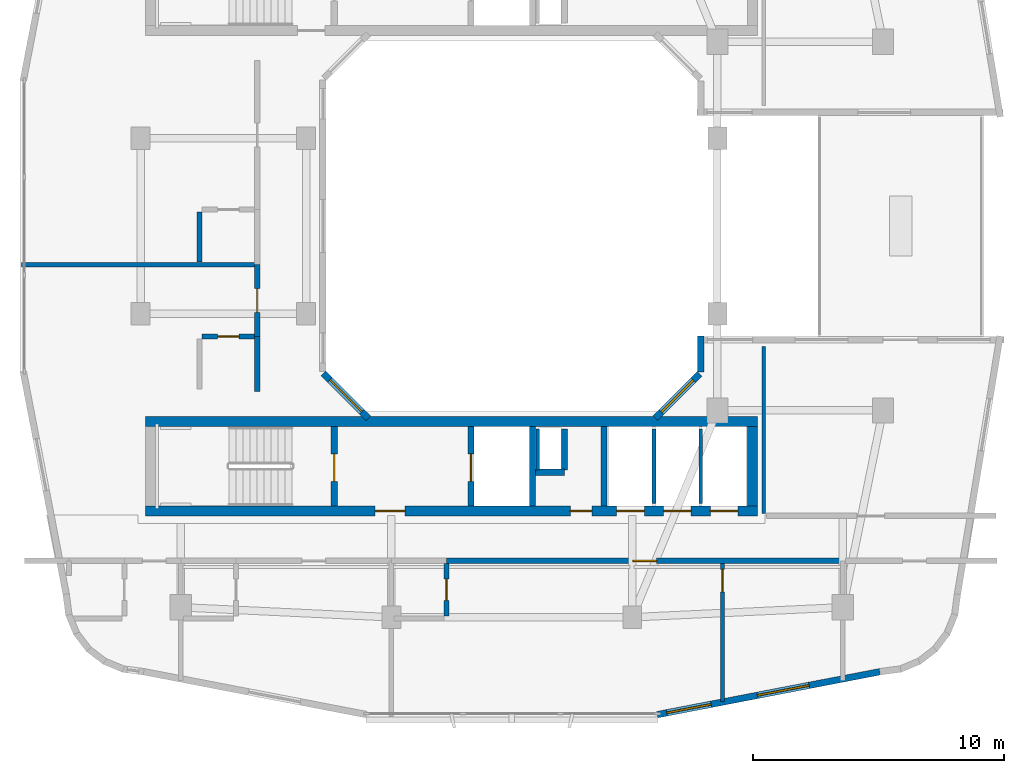
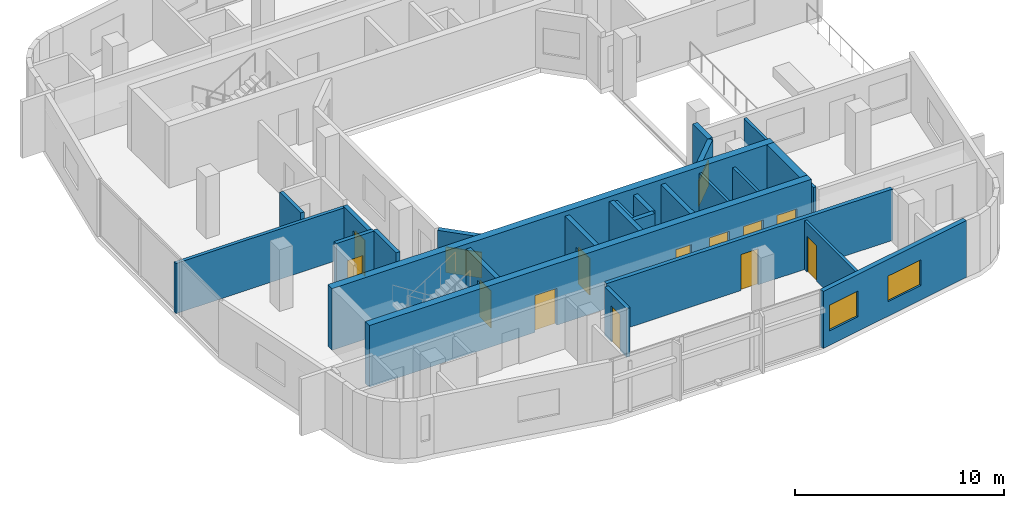
# One storey, part 5 of 12: 25 walls, 12 doors, 4 windows, 16 openings.
"""IFC4 building model written with IfcOpenShell, lengths in metres."""

from ifc_helpers import new_model, si_unit, derived_unit, direction, frame, frame_2d, origin, place, context, subcontext, project, spatial, rectangle, extrude, material, layer, layer_set, type_object, element, fill, save


model = new_model("IFC4")

# Units and contexts
model_context = context("Model", 3, precision=1e-05, world=origin(), true_north=direction((0.0, 1.0)))
body_context = subcontext(model_context, "Body", "Model", "MODEL_VIEW")
ifc_project = project(units=[si_unit("LENGTHUNIT", "METRE"), si_unit("AREAUNIT", "SQUARE_METRE"), si_unit("VOLUMEUNIT", "CUBIC_METRE"), si_unit("PLANEANGLEUNIT", "RADIAN"), si_unit("MASSUNIT", "GRAM", prefix="KILO"), derived_unit("THERMALTRANSMITTANCEUNIT", [(si_unit("POWERUNIT", "WATT"), 1), (si_unit("LENGTHUNIT", "METRE"), -2), (si_unit("THERMODYNAMICTEMPERATUREUNIT", "KELVIN"), -1)])], contexts=[model_context])

# Site, building, storey
site_placement = place(None, origin())
site = spatial("IfcSite", under=ifc_project, at=site_placement, CompositionType="ELEMENT")
building_placement = place(site_placement, origin())
building = spatial("IfcBuilding", under=site, at=building_placement, Name="Kivonza Crest Hotel", CompositionType="ELEMENT")
storey_placement = place(building_placement, frame((0.0, 0.0, 177.5)))
storey = spatial("IfcBuildingStorey", under=building, at=storey_placement, Name="L48", CompositionType="ELEMENT", Elevation=177.5)

# Wall
ifc_material_1 = material(Name="High-density acoustic masonry inter-tenancy wall", Category="masonry")
ifc_layer_1 = layer(ifc_material_1, 0.179931640625)
ifc_layer_set_1 = layer_set([ifc_layer_1], Name="High-density acoustic masonry inter-tenancy wall")
wall_type_1 = type_object("IfcWallType", Name="WL-ACOU-180", PredefinedType="SOLIDWALL", material=ifc_layer_set_1)
wall_1_placement = place(storey_placement, frame((1.4599609375, 23.4599609375, 0.0), z_axis=(0.0, 0.0, 1.0), x_axis=(1.0, 0.0, 0.0)))
element("IfcWall", 1, at=wall_1_placement, inside=storey, type_object=wall_type_1, Name="L48 interior partition WA-L48-T1W-DIV1", PredefinedType="SOLIDWALL", context=body_context, shape_type="SweptSolid", body=[
    extrude(rectangle(XDim=9.39013671875, YDim=0.179931640625, at=frame_2d((4.695068359375, 0.0))), origin(), (0.0, 0.0, 1.0), 2.93505859375),
])

# Wall, opening, door
ifc_material_2 = material(Name="Autoclaved aerated concrete blockwork", Category="masonry")
ifc_layer_2 = layer(ifc_material_2, 0.219970703125)
ifc_layer_set_2 = layer_set([ifc_layer_2], Name="Autoclaved aerated concrete blockwork")
wall_type_2 = type_object("IfcWallType", Name="WL-ACOU-220", PredefinedType="SOLIDWALL", material=ifc_layer_set_2)
wall_2_placement = place(storey_placement, frame((18.39990234375, 11.64990234375, 0.0), z_axis=(0.0, 0.0, 1.0), x_axis=(1.0, 0.0, 0.0)))
wall_2 = element("IfcWall", 2, at=wall_2_placement, inside=storey, type_object=wall_type_2, Name="L48 interior partition WA-L48-S07-MCORR", PredefinedType="SOLIDWALL", context=body_context, shape_type="SweptSolid", body=[
    extrude(rectangle(XDim=15.800048828125, YDim=0.219970703125, at=frame_2d((7.89990234375, 0.0))), origin(), (0.0, 0.0, 1.0), 2.9951171875),
])
opening_1_placement = place(wall_2_placement, frame((7.425048828125, 0.0, 0.0)))
opening_1 = element("IfcOpeningElement", 3, at=opening_1_placement, cuts=wall_2, Name="Opening DU-60", PredefinedType="OPENING", context=body_context, shape_type="SweptSolid", body=[
    extrude(rectangle(XDim=0.949951171875, YDim=2.10009765625, at=frame_2d((0.47509765625, 1.050048828125))), frame((0.0, 0.1201171875, 0.0), z_axis=(0.0, -1.0, 0.0), x_axis=(1.0, 0.0, 0.0)), (0.0, 0.0, 1.0), 0.239990234375),
])
ifc_material_3 = material(Name="Hardwood timber oak", Category="wood")
door_type_1 = type_object("IfcDoorType", Name="DR-UNIT-950", OperationType="NOTDEFINED", PredefinedType="DOOR", material=ifc_material_3)
door_1_placement = place(opening_1_placement, frame((0.949951171875, 0.0, 0.0), z_axis=(0.0, 0.0, 1.0), x_axis=(-1.0, 0.0, 0.0)))
door_1 = element("IfcDoor", 4, at=door_1_placement, inside=storey, type_object=door_type_1, Name="L48 S07 guest unit entrance fire door", OperationType="SINGLE_SWING_LEFT", OverallHeight=2.10009765625, OverallWidth=0.949951171875, PredefinedType="DOOR", context=body_context, shape_type="SweptSolid", body=[
    extrude(rectangle(XDim=0.949951171875, YDim=2.10009765625, at=frame_2d((0.47509765625, 1.050048828125))), frame((0.0, 0.02490234375, 0.0), z_axis=(0.0, -1.0, 0.0), x_axis=(1.0, 0.0, 0.0)), (0.0, 0.0, 1.0), 0.050048828125),
])
fill(opening_1, door_1)

# Wall
wall_3_placement = place(storey_placement, frame((10.85009765625, 18.39990234375, 0.0), z_axis=(0.0, 0.0, 1.0), x_axis=(0.0, 1.0, 0.0)))
element("IfcWall", 5, at=wall_3_placement, inside=storey, type_object=wall_type_2, Name="L48 interior partition WA-L48-W08-BCORR", PredefinedType="SOLIDWALL", context=body_context, shape_type="SweptSolid", body=[
    extrude(rectangle(XDim=2.2001953125, YDim=0.219970703125, at=frame_2d((1.10009765625, 0.0))), origin(), (0.0, 0.0, 1.0), 3.320068359375),
])

# Wall, opening, door
wall_4_placement = place(storey_placement, frame((10.85009765625, 20.60009765625, 0.0), z_axis=(0.0, 0.0, 1.0), x_axis=(0.0, 1.0, 0.0)))
wall_4 = element("IfcWall", 6, at=wall_4_placement, inside=storey, type_object=wall_type_2, Name="L48 interior partition WA-L48-W08-MCORR", PredefinedType="SOLIDWALL", context=body_context, shape_type="SweptSolid", body=[
    extrude(rectangle(XDim=2.85986328125, YDim=0.219970703125, at=frame_2d((1.429931640625, 0.0))), origin(), (0.0, 0.0, 1.0), 2.9951171875),
])
opening_2_placement = place(wall_4_placement, frame((0.955078125, 0.0, 0.0)))
opening_2 = element("IfcOpeningElement", 7, at=opening_2_placement, cuts=wall_4, Name="Opening DU-60", PredefinedType="OPENING", context=body_context, shape_type="SweptSolid", body=[
    extrude(rectangle(XDim=0.949951171875, YDim=2.10009765625, at=frame_2d((0.47509765625, 1.050048828125))), frame((0.0, 0.1201171875, 0.0), z_axis=(0.0, -1.0, 0.0), x_axis=(1.0, 0.0, 0.0)), (0.0, 0.0, 1.0), 0.239990234375),
])
door_2_placement = place(opening_2_placement, origin())
door_2 = element("IfcDoor", 8, at=door_2_placement, inside=storey, type_object=door_type_1, Name="L48 W08 guest unit entrance fire door", OperationType="SINGLE_SWING_RIGHT", OverallHeight=2.10009765625, OverallWidth=0.949951171875, PredefinedType="DOOR", context=body_context, shape_type="SweptSolid", body=[
    extrude(rectangle(XDim=0.949951171875, YDim=2.10009765625, at=frame_2d((0.47509765625, 1.050048828125))), frame((0.0, 0.02490234375, 0.0), z_axis=(0.0, -1.0, 0.0), x_axis=(1.0, 0.0, 0.0)), (0.0, 0.0, 1.0), 0.050048828125),
])
fill(opening_2, door_2)

# Wall, openings, doors
ifc_material_4 = material(Name="Concrete C50/60", Category="concrete")
ifc_layer_3 = layer(ifc_material_4, 0.39990234375)
ifc_layer_set_3 = layer_set([ifc_layer_3], Name="Concrete C50/60")
wall_type_3 = type_object("IfcWallType", Name="WL-CORE-400", PredefinedType="SHEAR", material=ifc_layer_set_3)
wall_5_placement = place(storey_placement, frame((6.39990234375, 13.639892578125, 0.0), z_axis=(0.0, 0.0, 1.0), x_axis=(1.0, 0.0, 0.0)))
wall_5 = element("IfcWall", 9, at=wall_5_placement, inside=storey, type_object=wall_type_3, Name="Core wall T1-S South L48", PredefinedType="SHEAR", context=body_context, shape_type="SweptSolid", body=[
    extrude(rectangle(XDim=24.400146484375, YDim=0.39990234375, at=frame_2d((12.2001953125, 0.0))), origin(), (0.0, 0.0, 1.0), 3.60009765625),
])
opening_3_placement = place(wall_5_placement, frame((9.14990234375, 0.0, 0.0)))
opening_3 = element("IfcOpeningElement", 10, at=opening_3_placement, cuts=wall_5, Name="Opening DF-60", PredefinedType="OPENING", context=body_context, shape_type="SweptSolid", body=[
    extrude(rectangle(XDim=1.199951171875, YDim=2.14990234375, at=frame_2d((0.60009765625, 1.074951171875))), frame((0.0, 0.2099609375, 0.0), z_axis=(0.0, -1.0, 0.0), x_axis=(1.0, 0.0, 0.0)), (0.0, 0.0, 1.0), 0.419921875),
])
opening_4_placement = place(wall_5_placement, frame((16.93994140625, 0.0, 0.0)))
opening_4 = element("IfcOpeningElement", 11, at=opening_4_placement, cuts=wall_5, Name="Opening DF-60R", PredefinedType="OPENING", context=body_context, shape_type="SweptSolid", body=[
    extrude(rectangle(XDim=0.85009765625, YDim=2.10009765625, at=frame_2d((0.425048828125, 1.050048828125))), frame((0.0, 0.2099609375, 0.0), z_axis=(0.0, -1.0, 0.0), x_axis=(1.0, 0.0, 0.0)), (0.0, 0.0, 1.0), 0.419921875),
])
opening_5_placement = place(wall_5_placement, frame((18.782958984375, 0.0, 0.0)))
opening_5 = element("IfcOpeningElement", 12, at=opening_5_placement, cuts=wall_5, Name="Opening LD-120", PredefinedType="OPENING", context=body_context, shape_type="SweptSolid", body=[
    extrude(rectangle(XDim=1.10009765625, YDim=2.14990234375, at=frame_2d((0.550048828125, 1.074951171875))), frame((0.0, 0.2099609375, 0.0), z_axis=(0.0, -1.0, 0.0), x_axis=(1.0, 0.0, 0.0)), (0.0, 0.0, 1.0), 0.419921875),
])
opening_6_placement = place(wall_5_placement, frame((20.64990234375, 0.0, 0.0)))
opening_6 = element("IfcOpeningElement", 13, at=opening_6_placement, cuts=wall_5, Name="Opening LD-120", PredefinedType="OPENING", context=body_context, shape_type="SweptSolid", body=[
    extrude(rectangle(XDim=1.10009765625, YDim=2.14990234375, at=frame_2d((0.550048828125, 1.074951171875))), frame((0.0, 0.2099609375, 0.0), z_axis=(0.0, -1.0, 0.0), x_axis=(1.0, 0.0, 0.0)), (0.0, 0.0, 1.0), 0.419921875),
])
opening_7_placement = place(wall_5_placement, frame((22.51708984375, 0.0, 0.0)))
opening_7 = element("IfcOpeningElement", 14, at=opening_7_placement, cuts=wall_5, Name="Opening LD-120", PredefinedType="OPENING", context=body_context, shape_type="SweptSolid", body=[
    extrude(rectangle(XDim=1.10009765625, YDim=2.14990234375, at=frame_2d((0.550048828125, 1.074951171875))), frame((0.0, 0.2099609375, 0.0), z_axis=(0.0, -1.0, 0.0), x_axis=(1.0, 0.0, 0.0)), (0.0, 0.0, 1.0), 0.419921875),
])
door_type_2 = type_object("IfcDoorType", Name="DR-FD60-1200", OperationType="NOTDEFINED", PredefinedType="DOOR", material=ifc_material_3)
door_3_placement = place(opening_3_placement, frame((1.199951171875, 0.0, 0.0), z_axis=(0.0, 0.0, 1.0), x_axis=(-1.0, 0.0, 0.0)))
door_3 = element("IfcDoor", 15, at=door_3_placement, inside=storey, type_object=door_type_2, Name="L48 T1-S firefighting lobby fire door", OperationType="SINGLE_SWING_LEFT", OverallHeight=2.14990234375, OverallWidth=1.199951171875, PredefinedType="DOOR", context=body_context, shape_type="SweptSolid", body=[
    extrude(rectangle(XDim=1.199951171875, YDim=2.14990234375, at=frame_2d((0.60009765625, 1.074951171875))), frame((0.0, 0.02490234375, 0.0), z_axis=(0.0, -1.0, 0.0), x_axis=(1.0, 0.0, 0.0)), (0.0, 0.0, 1.0), 0.050048828125),
])
fill(opening_3, door_3)
door_type_3 = type_object("IfcDoorType", Name="DR-FD60-850", OperationType="NOTDEFINED", PredefinedType="DOOR", material=ifc_material_3)
door_4_placement = place(opening_4_placement, frame((0.85009765625, 0.0, 0.0), z_axis=(0.0, 0.0, 1.0), x_axis=(-1.0, 0.0, 0.0)))
door_4 = element("IfcDoor", 16, at=door_4_placement, inside=storey, type_object=door_type_3, Name="L48 T1-S core room door", OperationType="SINGLE_SWING_RIGHT", OverallHeight=2.10009765625, OverallWidth=0.85009765625, PredefinedType="DOOR", context=body_context, shape_type="SweptSolid", body=[
    extrude(rectangle(XDim=0.85009765625, YDim=2.10009765625, at=frame_2d((0.425048828125, 1.050048828125))), frame((0.0, 0.02490234375, 0.0), z_axis=(0.0, -1.0, 0.0), x_axis=(1.0, 0.0, 0.0)), (0.0, 0.0, 1.0), 0.050048828125),
])
fill(opening_4, door_4)
ifc_material_5 = material(Name="Stainless steel", Category="steel")
door_type_4 = type_object("IfcDoorType", Name="DR-LD120-1100", OperationType="NOTDEFINED", PredefinedType="DOOR", material=ifc_material_5)
door_5_placement = place(opening_5_placement, frame((1.10009765625, 0.0, 0.0), z_axis=(0.0, 0.0, 1.0), x_axis=(-1.0, 0.0, 0.0)))
door_5 = element("IfcDoor", 17, at=door_5_placement, inside=storey, type_object=door_type_4, Name="L48 PL-T1-H1 passenger lift sliding landing door", OperationType="DOUBLE_DOOR_SLIDING", OverallHeight=2.14990234375, OverallWidth=1.10009765625, PredefinedType="DOOR", context=body_context, shape_type="SweptSolid", body=[
    extrude(rectangle(XDim=1.10009765625, YDim=2.14990234375, at=frame_2d((0.550048828125, 1.074951171875))), frame((0.0, 0.02490234375, 0.0), z_axis=(0.0, -1.0, 0.0), x_axis=(1.0, 0.0, 0.0)), (0.0, 0.0, 1.0), 0.050048828125),
])
fill(opening_5, door_5)
door_6_placement = place(opening_6_placement, frame((1.10009765625, 0.0, 0.0), z_axis=(0.0, 0.0, 1.0), x_axis=(-1.0, 0.0, 0.0)))
door_6 = element("IfcDoor", 18, at=door_6_placement, inside=storey, type_object=door_type_4, Name="L48 PL-T1-H2 passenger lift sliding landing door", OperationType="DOUBLE_DOOR_SLIDING", OverallHeight=2.14990234375, OverallWidth=1.10009765625, PredefinedType="DOOR", context=body_context, shape_type="SweptSolid", body=[
    extrude(rectangle(XDim=1.10009765625, YDim=2.14990234375, at=frame_2d((0.550048828125, 1.074951171875))), frame((0.0, 0.02490234375, 0.0), z_axis=(0.0, -1.0, 0.0), x_axis=(1.0, 0.0, 0.0)), (0.0, 0.0, 1.0), 0.050048828125),
])
fill(opening_6, door_6)
door_7_placement = place(opening_7_placement, frame((1.10009765625, 0.0, 0.0), z_axis=(0.0, 0.0, 1.0), x_axis=(-1.0, 0.0, 0.0)))
door_7 = element("IfcDoor", 19, at=door_7_placement, inside=storey, type_object=door_type_4, Name="L48 PL-T1-H3 passenger lift sliding landing door", OperationType="DOUBLE_DOOR_SLIDING", OverallHeight=2.14990234375, OverallWidth=1.10009765625, PredefinedType="DOOR", context=body_context, shape_type="SweptSolid", body=[
    extrude(rectangle(XDim=1.10009765625, YDim=2.14990234375, at=frame_2d((0.550048828125, 1.074951171875))), frame((0.0, 0.02490234375, 0.0), z_axis=(0.0, -1.0, 0.0), x_axis=(1.0, 0.0, 0.0)), (0.0, 0.0, 1.0), 0.050048828125),
])
fill(opening_7, door_7)

# Walls
wall_6_placement = place(storey_placement, frame((6.39990234375, 17.199951171875, 0.0), z_axis=(0.0, 0.0, 1.0), x_axis=(1.0, 0.0, 0.0)))
element("IfcWall", 20, at=wall_6_placement, inside=storey, type_object=wall_type_3, Name="Core wall T1-S North L48", PredefinedType="SHEAR", context=body_context, shape_type="SweptSolid", body=[
    extrude(rectangle(XDim=24.400146484375, YDim=0.39990234375, at=frame_2d((12.2001953125, 0.0))), origin(), (0.0, 0.0, 1.0), 3.60009765625),
])
wall_7_placement = place(storey_placement, frame((30.60009765625, 13.840087890625, 0.0), z_axis=(0.0, 0.0, 1.0), x_axis=(0.0, 1.0, 0.0)))
element("IfcWall", 21, at=wall_7_placement, inside=storey, type_object=wall_type_3, Name="Core wall T1-S East L48", PredefinedType="SHEAR", context=body_context, shape_type="SweptSolid", body=[
    extrude(rectangle(XDim=3.159912109375, YDim=0.39990234375, at=frame_2d((1.580078125, 0.0))), origin(), (0.0, 0.0, 1.0), 3.60009765625),
])

# Wall, openings, windows
ifc_material_6 = material(Name="Precast concrete C40/50", Category="concrete")
ifc_layer_4 = layer(ifc_material_6, 0.260009765625)
ifc_layer_set_4 = layer_set([ifc_layer_4], Name="Precast concrete C40/50")
wall_type_4 = type_object("IfcWallType", Name="WL-EXT-260", PredefinedType="STANDARD", material=ifc_layer_set_4)
wall_8_placement = place(storey_placement, frame((26.801025390625, 5.51806640625, 0.0), z_axis=(0.0, 0.0, 1.0), x_axis=(0.98192801022, 0.189254809039, 0.0)))
wall_8 = element("IfcWall", 22, at=wall_8_placement, inside=storey, type_object=wall_type_4, Name="L48 T1 exterior insulated wall 9", PredefinedType="STANDARD", context=body_context, shape_type="SweptSolid", body=[
    extrude(rectangle(XDim=9.045654296875, YDim=0.260009765625, at=frame_2d((4.52294921875, 0.0))), origin(), (0.0, 0.0, 1.0), 3.320068359375),
])
opening_8_placement = place(wall_8_placement, frame((0.386962890625, 0.0, 0.85009765625)))
opening_8 = element("IfcOpeningElement", 23, at=opening_8_placement, cuts=wall_8, Name="Opening WN-03", PredefinedType="OPENING", context=body_context, shape_type="SweptSolid", body=[
    extrude(rectangle(XDim=1.800048828125, YDim=1.5, at=frame_2d((0.89990234375, 0.75))), frame((0.0, 0.14013671875, 0.0), z_axis=(0.0, -1.0, 0.0), x_axis=(1.0, 0.0, 0.0)), (0.0, 0.0, 1.0), 0.280029296875),
])
opening_9_placement = place(wall_8_placement, frame((4.06494140625, 0.0, 0.85009765625)))
opening_9 = element("IfcOpeningElement", 24, at=opening_9_placement, cuts=wall_8, Name="Opening WN-04", PredefinedType="OPENING", context=body_context, shape_type="SweptSolid", body=[
    extrude(rectangle(XDim=2.10009765625, YDim=1.5, at=frame_2d((1.050048828125, 0.75))), frame((0.0, 0.14013671875, 0.0), z_axis=(0.0, -1.0, 0.0), x_axis=(1.0, 0.0, 0.0)), (0.0, 0.0, 1.0), 0.280029296875),
])
ifc_material_7 = material(Name="Thermally broken bronze aluminium and low-E double glazing", Category="aluminium")
window_type_1 = type_object("IfcWindowType", Name="WN-180x150", PartitioningType="DOUBLE_PANEL_VERTICAL", PredefinedType="WINDOW", material=ifc_material_7)
window_1_placement = place(opening_8_placement, origin())
window_1 = element("IfcWindow", 25, at=window_1_placement, inside=storey, type_object=window_type_1, Name="L48 T1 facade window 9 bay 1", OverallHeight=1.5, OverallWidth=1.800048828125, PartitioningType="SINGLE_PANEL", PredefinedType="WINDOW", context=body_context, shape_type="SweptSolid", body=[
    extrude(rectangle(XDim=1.800048828125, YDim=1.5, at=frame_2d((0.89990234375, 0.75))), frame((0.0, 0.030029296875, 0.0), z_axis=(0.0, -1.0, 0.0), x_axis=(1.0, 0.0, 0.0)), (0.0, 0.0, 1.0), 0.06005859375),
])
fill(opening_8, window_1)
window_type_2 = type_object("IfcWindowType", Name="WN-210x150", PartitioningType="DOUBLE_PANEL_VERTICAL", PredefinedType="WINDOW", material=ifc_material_7)
window_2_placement = place(opening_9_placement, origin())
window_2 = element("IfcWindow", 26, at=window_2_placement, inside=storey, type_object=window_type_2, Name="L48 T1 facade window 9 bay 2", OverallHeight=1.5, OverallWidth=2.10009765625, PartitioningType="SINGLE_PANEL", PredefinedType="WINDOW", context=body_context, shape_type="SweptSolid", body=[
    extrude(rectangle(XDim=2.10009765625, YDim=1.5, at=frame_2d((1.050048828125, 0.75))), frame((0.0, 0.030029296875, 0.0), z_axis=(0.0, -1.0, 0.0), x_axis=(1.0, 0.0, 0.0)), (0.0, 0.0, 1.0), 0.06005859375),
])
fill(opening_9, window_2)

# Wall
wall_9_placement = place(storey_placement, frame((28.530029296875, 20.625, 0.0), z_axis=(0.0, 0.0, 1.0), x_axis=(0.0, -1.0, 0.0)))
element("IfcWall", 27, at=wall_9_placement, inside=storey, type_object=wall_type_4, Name="L48 T1 exterior insulated wall 18", PredefinedType="STANDARD", context=body_context, shape_type="SweptSolid", body=[
    extrude(rectangle(XDim=1.449951171875, YDim=0.260009765625, at=frame_2d((0.72509765625, 0.0))), origin(), (0.0, 0.0, 1.0), 3.320068359375),
])

# Wall, opening, window
wall_10_placement = place(storey_placement, frame((28.485107421875, 19.10107421875, 0.0), z_axis=(0.0, 0.0, 1.0), x_axis=(-0.707106781187, -0.707106781187, 0.0)))
wall_10 = element("IfcWall", 28, at=wall_10_placement, inside=storey, type_object=wall_type_4, Name="L48 T1 exterior insulated wall 19", PredefinedType="STANDARD", context=body_context, shape_type="SweptSolid", body=[
    extrude(rectangle(XDim=2.493408203125, YDim=0.260009765625, at=frame_2d((1.24658203125, 0.0))), origin(), (0.0, 0.0, 1.0), 3.320068359375),
])
opening_10_placement = place(wall_10_placement, frame((0.346923828125, 0.0, 0.85009765625)))
opening_10 = element("IfcOpeningElement", 29, at=opening_10_placement, cuts=wall_10, Name="Opening WN-03", PredefinedType="OPENING", context=body_context, shape_type="SweptSolid", body=[
    extrude(rectangle(XDim=1.800048828125, YDim=1.5, at=frame_2d((0.89990234375, 0.75))), frame((0.0, 0.14013671875, 0.0), z_axis=(0.0, -1.0, 0.0), x_axis=(1.0, 0.0, 0.0)), (0.0, 0.0, 1.0), 0.280029296875),
])
window_3_placement = place(opening_10_placement, origin())
window_3 = element("IfcWindow", 30, at=window_3_placement, inside=storey, type_object=window_type_1, Name="L48 T1 facade window 19", OverallHeight=1.5, OverallWidth=1.800048828125, PartitioningType="SINGLE_PANEL", PredefinedType="WINDOW", context=body_context, shape_type="SweptSolid", body=[
    extrude(rectangle(XDim=1.800048828125, YDim=1.5, at=frame_2d((0.89990234375, 0.75))), frame((0.0, 0.030029296875, 0.0), z_axis=(0.0, -1.0, 0.0), x_axis=(1.0, 0.0, 0.0)), (0.0, 0.0, 1.0), 0.06005859375),
])
fill(opening_10, window_3)

wall_11_placement = place(storey_placement, frame((15.278076171875, 17.337890625, 0.0), z_axis=(0.0, 0.0, 1.0), x_axis=(-0.707106781187, 0.707106781187, 0.0)))
wall_11 = element("IfcWall", 31, at=wall_11_placement, inside=storey, type_object=wall_type_4, Name="L48 T1 exterior insulated wall 21", PredefinedType="STANDARD", context=body_context, shape_type="SweptSolid", body=[
    extrude(rectangle(XDim=2.52880859375, YDim=0.260009765625, at=frame_2d((1.264404296875, 0.0))), origin(), (0.0, 0.0, 1.0), 3.320068359375),
])
opening_11_placement = place(wall_11_placement, frame((0.364013671875, 0.0, 0.85009765625)))
opening_11 = element("IfcOpeningElement", 32, at=opening_11_placement, cuts=wall_11, Name="Opening WN-03", PredefinedType="OPENING", context=body_context, shape_type="SweptSolid", body=[
    extrude(rectangle(XDim=1.800048828125, YDim=1.5, at=frame_2d((0.89990234375, 0.75))), frame((0.0, 0.14013671875, 0.0), z_axis=(0.0, -1.0, 0.0), x_axis=(1.0, 0.0, 0.0)), (0.0, 0.0, 1.0), 0.280029296875),
])
window_4_placement = place(opening_11_placement, origin())
window_4 = element("IfcWindow", 33, at=window_4_placement, inside=storey, type_object=window_type_1, Name="L48 T1 facade window 21", OverallHeight=1.5, OverallWidth=1.800048828125, PartitioningType="SINGLE_PANEL", PredefinedType="WINDOW", context=body_context, shape_type="SweptSolid", body=[
    extrude(rectangle(XDim=1.800048828125, YDim=1.5, at=frame_2d((0.89990234375, 0.75))), frame((0.0, 0.030029296875, 0.0), z_axis=(0.0, -1.0, 0.0), x_axis=(1.0, 0.0, 0.0)), (0.0, 0.0, 1.0), 0.06005859375),
])
fill(opening_11, window_4)

# Walls
ifc_material_8 = material(Name="Concrete blockwork fire-compartment wall", Category="masonry")
ifc_layer_5 = layer(ifc_material_8, 0.25)
ifc_layer_set_5 = layer_set([ifc_layer_5], Name="Concrete blockwork fire-compartment wall")
wall_type_5 = type_object("IfcWallType", Name="WL-FIRE-250", PredefinedType="SOLIDWALL", material=ifc_layer_set_5)
wall_12_placement = place(storey_placement, frame((23.10009765625, 15.280029296875, 0.0), z_axis=(0.0, 0.0, 1.0), x_axis=(0.0, 1.0, 0.0)))
element("IfcWall", 34, at=wall_12_placement, inside=storey, type_object=wall_type_5, Name="L48 interior partition WA-L48-T1-S-MEPR-E", PredefinedType="SOLIDWALL", context=body_context, shape_type="SweptSolid", body=[
    extrude(rectangle(XDim=1.619873046875, YDim=0.25, at=frame_2d((0.81005859375, 0.0))), origin(), (0.0, 0.0, 1.0), 3.320068359375),
])
wall_13_placement = place(storey_placement, frame((21.949951171875, 15.179931640625, 0.0), z_axis=(0.0, 0.0, 1.0), x_axis=(1.0, 0.0, 0.0)))
element("IfcWall", 35, at=wall_13_placement, inside=storey, type_object=wall_type_5, Name="L48 interior partition WA-L48-T1-S-MEPR-H", PredefinedType="SOLIDWALL", context=body_context, shape_type="SweptSolid", body=[
    extrude(rectangle(XDim=1.150146484375, YDim=0.25, at=frame_2d((0.5751953125, 0.0))), origin(), (0.0, 0.0, 1.0), 3.320068359375),
])
ifc_material_9 = material(Name="Twin-stud acoustic gypsum board partition", Category="gypsum")
ifc_layer_6 = layer(ifc_material_9, 0.14990234375)
ifc_layer_set_6 = layer_set([ifc_layer_6], Name="Twin-stud acoustic gypsum board partition")
wall_type_6 = type_object("IfcWallType", Name="WL-PART-150", PredefinedType="PARTITIONING", material=ifc_layer_set_6)
wall_14_placement = place(storey_placement, frame((22.030029296875, 15.280029296875, 0.0), z_axis=(0.0, 0.0, 1.0), x_axis=(0.0, 1.0, 0.0)))
element("IfcWall", 36, at=wall_14_placement, inside=storey, type_object=wall_type_6, Name="L48 interior partition WA-L48-T1-S-MEPR-W", PredefinedType="PARTITIONING", context=body_context, shape_type="SweptSolid", body=[
    extrude(rectangle(XDim=1.619873046875, YDim=0.14990234375, at=frame_2d((0.81005859375, 0.0))), origin(), (0.0, 0.0, 1.0), 3.320068359375),
])
wall_15_placement = place(storey_placement, frame((26.6669921875, 13.93994140625, 0.0), z_axis=(0.0, 0.0, 1.0), x_axis=(0.0, 1.0, 0.0)))
element("IfcWall", 37, at=wall_15_placement, inside=storey, type_object=wall_type_6, Name="L48 interior partition WP-L48-T1-S-BSH-1", PredefinedType="PARTITIONING", context=body_context, shape_type="SweptSolid", body=[
    extrude(rectangle(XDim=2.9599609375, YDim=0.14990234375, at=frame_2d((1.47998046875, 0.0))), origin(), (0.0, 0.0, 1.0), 3.320068359375),
])
wall_16_placement = place(storey_placement, frame((28.532958984375, 13.93994140625, 0.0), z_axis=(0.0, 0.0, 1.0), x_axis=(0.0, 1.0, 0.0)))
element("IfcWall", 38, at=wall_16_placement, inside=storey, type_object=wall_type_6, Name="L48 interior partition WP-L48-T1-S-BSH-2", PredefinedType="PARTITIONING", context=body_context, shape_type="SweptSolid", body=[
    extrude(rectangle(XDim=2.9599609375, YDim=0.14990234375, at=frame_2d((1.47998046875, 0.0))), origin(), (0.0, 0.0, 1.0), 2.9951171875),
])

# Wall, opening, door
wall_17_placement = place(storey_placement, frame((29.39990234375, 6.047119140625, 0.0), z_axis=(0.0, 0.0, 1.0), x_axis=(0.0, 1.0, 0.0)))
wall_17 = element("IfcWall", 39, at=wall_17_placement, inside=storey, type_object=wall_type_6, Name="L48 interior partition WP-L48-S07-SPSP", PredefinedType="PARTITIONING", context=body_context, shape_type="SweptSolid", body=[
    extrude(rectangle(XDim=5.5029296875, YDim=0.14990234375, at=frame_2d((2.75146484375, 0.0))), origin(), (0.0, 0.0, 1.0), 2.844970703125),
])
opening_12_placement = place(wall_17_placement, frame((4.363037109375, 0.0, 0.0)))
opening_12 = element("IfcOpeningElement", 40, at=opening_12_placement, cuts=wall_17, Name="Opening DI-90", PredefinedType="OPENING", context=body_context, shape_type="SweptSolid", body=[
    extrude(rectangle(XDim=0.89990234375, YDim=2.10009765625, at=frame_2d((0.449951171875, 1.050048828125))), frame((0.0, 0.0849609375, 0.0), z_axis=(0.0, -1.0, 0.0), x_axis=(1.0, 0.0, 0.0)), (0.0, 0.0, 1.0), 0.169921875),
])
door_type_5 = type_object("IfcDoorType", Name="DR-INT-900", OperationType="NOTDEFINED", PredefinedType="DOOR", material=ifc_material_3)
door_8_placement = place(opening_12_placement, origin())
door_8 = element("IfcDoor", 41, at=door_8_placement, inside=storey, type_object=door_type_5, Name="L48 S07 suite bedroom door", OperationType="SINGLE_SWING_RIGHT", OverallHeight=2.10009765625, OverallWidth=0.89990234375, PredefinedType="DOOR", context=body_context, shape_type="SweptSolid", body=[
    extrude(rectangle(XDim=0.89990234375, YDim=2.10009765625, at=frame_2d((0.449951171875, 1.050048828125))), frame((0.0, 0.02490234375, 0.0), z_axis=(0.0, -1.0, 0.0), x_axis=(1.0, 0.0, 0.0)), (0.0, 0.0, 1.0), 0.050048828125),
])
fill(opening_12, door_8)

# Wall
wall_18_placement = place(storey_placement, frame((31.050048828125, 13.5400390625, 0.0), z_axis=(0.0, 0.0, 1.0), x_axis=(0.0, 1.0, 0.0)))
element("IfcWall", 42, at=wall_18_placement, inside=storey, type_object=wall_type_6, Name="L48 interior partition WP-L48-EP1-BW", PredefinedType="PARTITIONING", context=body_context, shape_type="SweptSolid", body=[
    extrude(rectangle(XDim=6.659912109375, YDim=0.14990234375, at=frame_2d((3.330078125, 0.0))), origin(), (0.0, 0.0, 1.0), 2.9951171875),
])

# Wall, opening, door
ifc_material_10 = material(Name="Moisture-resistant plumbing chase partition wall", Category="gypsum")
ifc_layer_7 = layer(ifc_material_10, 0.199951171875)
ifc_layer_set_7 = layer_set([ifc_layer_7], Name="Moisture-resistant plumbing chase partition wall")
wall_type_7 = type_object("IfcWallType", Name="WL-PLUMB-200", PredefinedType="PLUMBINGWALL", material=ifc_layer_set_7)
wall_19_placement = place(storey_placement, frame((18.39990234375, 9.449951171875, 0.0), z_axis=(0.0, 0.0, 1.0), x_axis=(0.0, 1.0, 0.0)))
wall_19 = element("IfcWall", 43, at=wall_19_placement, inside=storey, type_object=wall_type_7, Name="L48 interior partition WW-L48-S07-BV", PredefinedType="PLUMBINGWALL", context=body_context, shape_type="SweptSolid", body=[
    extrude(rectangle(XDim=2.10009765625, YDim=0.199951171875, at=frame_2d((1.050048828125, 0.0))), origin(), (0.0, 0.0, 1.0), 2.844970703125),
])
opening_13_placement = place(wall_19_placement, frame((0.625, 0.0, 0.0)))
opening_13 = element("IfcOpeningElement", 44, at=opening_13_placement, cuts=wall_19, Name="Opening DI-85", PredefinedType="OPENING", context=body_context, shape_type="SweptSolid", body=[
    extrude(rectangle(XDim=0.85009765625, YDim=2.10009765625, at=frame_2d((0.425048828125, 1.050048828125))), frame((0.0, 0.10986328125, 0.0), z_axis=(0.0, -1.0, 0.0), x_axis=(1.0, 0.0, 0.0)), (0.0, 0.0, 1.0), 0.219970703125),
])
door_type_6 = type_object("IfcDoorType", Name="DR-INT-850", OperationType="NOTDEFINED", PredefinedType="DOOR", material=ifc_material_3)
door_9_placement = place(opening_13_placement, frame((0.85009765625, 0.0, 0.0), z_axis=(0.0, 0.0, 1.0), x_axis=(-1.0, 0.0, 0.0)))
door_9 = element("IfcDoor", 45, at=door_9_placement, inside=storey, type_object=door_type_6, Name="L48 S07 en-suite bathroom door", OperationType="SINGLE_SWING_RIGHT", OverallHeight=2.10009765625, OverallWidth=0.85009765625, PredefinedType="DOOR", context=body_context, shape_type="SweptSolid", body=[
    extrude(rectangle(XDim=0.85009765625, YDim=2.10009765625, at=frame_2d((0.425048828125, 1.050048828125))), frame((0.0, 0.02490234375, 0.0), z_axis=(0.0, -1.0, 0.0), x_axis=(1.0, 0.0, 0.0)), (0.0, 0.0, 1.0), 0.050048828125),
])
fill(opening_13, door_9)

wall_20_placement = place(storey_placement, frame((8.64990234375, 20.60009765625, 0.0), z_axis=(0.0, 0.0, 1.0), x_axis=(1.0, 0.0, 0.0)))
wall_20 = element("IfcWall", 46, at=wall_20_placement, inside=storey, type_object=wall_type_7, Name="L48 interior partition WW-L48-W08-BH", PredefinedType="PLUMBINGWALL", context=body_context, shape_type="SweptSolid", body=[
    extrude(rectangle(XDim=2.10009765625, YDim=0.199951171875, at=frame_2d((1.050048828125, 0.0))), origin(), (0.0, 0.0, 1.0), 3.320068359375),
])
opening_14_placement = place(wall_20_placement, frame((0.625, 0.0, 0.0)))
opening_14 = element("IfcOpeningElement", 47, at=opening_14_placement, cuts=wall_20, Name="Opening DI-85", PredefinedType="OPENING", context=body_context, shape_type="SweptSolid", body=[
    extrude(rectangle(XDim=0.85009765625, YDim=2.10009765625, at=frame_2d((0.425048828125, 1.050048828125))), frame((0.0, 0.10986328125, 0.0), z_axis=(0.0, -1.0, 0.0), x_axis=(1.0, 0.0, 0.0)), (0.0, 0.0, 1.0), 0.219970703125),
])
door_10_placement = place(opening_14_placement, origin())
door_10 = element("IfcDoor", 48, at=door_10_placement, inside=storey, type_object=door_type_6, Name="L48 W08 en-suite bathroom door", OperationType="SINGLE_SWING_LEFT", OverallHeight=2.10009765625, OverallWidth=0.85009765625, PredefinedType="DOOR", context=body_context, shape_type="SweptSolid", body=[
    extrude(rectangle(XDim=0.85009765625, YDim=2.10009765625, at=frame_2d((0.425048828125, 1.050048828125))), frame((0.0, 0.02490234375, 0.0), z_axis=(0.0, -1.0, 0.0), x_axis=(1.0, 0.0, 0.0)), (0.0, 0.0, 1.0), 0.050048828125),
])
fill(opening_14, door_10)

# Wall
wall_21_placement = place(storey_placement, frame((8.550048828125, 23.56005859375, 0.0), z_axis=(0.0, 0.0, 1.0), x_axis=(0.0, 1.0, 0.0)))
element("IfcWall", 49, at=wall_21_placement, inside=storey, type_object=wall_type_7, Name="L48 interior partition WW-L48-W09-BV", PredefinedType="PLUMBINGWALL", context=body_context, shape_type="SweptSolid", body=[
    extrude(rectangle(XDim=2.0, YDim=0.199951171875, at=frame_2d((1.0, 0.0))), origin(), (0.0, 0.0, 1.0), 3.320068359375),
])

# Wall, opening, door
ifc_layer_8 = layer(ifc_material_4, 0.25)
ifc_layer_set_8 = layer_set([ifc_layer_8], Name="Concrete C50/60")
wall_type_8 = type_object("IfcWallType", Name="WL-SHAFT-250", PredefinedType="STANDARD", material=ifc_layer_set_8)
wall_22_placement = place(storey_placement, frame((13.925048828125, 13.840087890625, 0.0), z_axis=(0.0, 0.0, 1.0), x_axis=(0.0, 1.0, 0.0)))
wall_22 = element("IfcWall", 50, at=wall_22_placement, inside=storey, type_object=wall_type_8, Name="Core shaft wall T1-S STAIR L48", PredefinedType="STANDARD", context=body_context, shape_type="SweptSolid", body=[
    extrude(rectangle(XDim=3.159912109375, YDim=0.25, at=frame_2d((1.580078125, 0.0))), origin(), (0.0, 0.0, 1.0), 3.320068359375),
])
opening_15_placement = place(wall_22_placement, frame((0.97998046875, 0.0, 0.0)))
opening_15 = element("IfcOpeningElement", 51, at=opening_15_placement, cuts=wall_22, Name="Opening DF-120", PredefinedType="OPENING", context=body_context, shape_type="SweptSolid", body=[
    extrude(rectangle(XDim=1.10009765625, YDim=2.14990234375, at=frame_2d((0.550048828125, 1.074951171875))), frame((0.0, 0.135009765625, 0.0), z_axis=(0.0, -1.0, 0.0), x_axis=(1.0, 0.0, 0.0)), (0.0, 0.0, 1.0), 0.27001953125),
])
ifc_material_11 = material(Name="Galvanised steel", Category="steel")
door_type_7 = type_object("IfcDoorType", Name="DR-FD120-1100", OperationType="NOTDEFINED", PredefinedType="DOOR", material=ifc_material_11)
door_11_placement = place(opening_15_placement, frame((1.10009765625, 0.0, 0.0), z_axis=(0.0, 0.0, 1.0), x_axis=(-1.0, 0.0, 0.0)))
door_11 = element("IfcDoor", 52, at=door_11_placement, inside=storey, type_object=door_type_7, Name="L48 T1-S stair fire door", OperationType="SINGLE_SWING_RIGHT", OverallHeight=2.14990234375, OverallWidth=1.10009765625, PredefinedType="DOOR", context=body_context, shape_type="SweptSolid", body=[
    extrude(rectangle(XDim=1.10009765625, YDim=2.14990234375, at=frame_2d((0.550048828125, 1.074951171875))), frame((0.0, 0.02490234375, 0.0), z_axis=(0.0, -1.0, 0.0), x_axis=(1.0, 0.0, 0.0)), (0.0, 0.0, 1.0), 0.050048828125),
])
fill(opening_15, door_11)

wall_23_placement = place(storey_placement, frame((19.375, 13.840087890625, 0.0), z_axis=(0.0, 0.0, 1.0), x_axis=(0.0, 1.0, 0.0)))
wall_23 = element("IfcWall", 53, at=wall_23_placement, inside=storey, type_object=wall_type_8, Name="Core shaft wall T1-S FFL-W L48", PredefinedType="STANDARD", context=body_context, shape_type="SweptSolid", body=[
    extrude(rectangle(XDim=3.159912109375, YDim=0.25, at=frame_2d((1.580078125, 0.0))), origin(), (0.0, 0.0, 1.0), 3.320068359375),
])
opening_16_placement = place(wall_23_placement, frame((0.97998046875, 0.0, 0.0)))
opening_16 = element("IfcOpeningElement", 54, at=opening_16_placement, cuts=wall_23, Name="Opening LD-120", PredefinedType="OPENING", context=body_context, shape_type="SweptSolid", body=[
    extrude(rectangle(XDim=1.10009765625, YDim=2.14990234375, at=frame_2d((0.550048828125, 1.074951171875))), frame((0.0, 0.135009765625, 0.0), z_axis=(0.0, -1.0, 0.0), x_axis=(1.0, 0.0, 0.0)), (0.0, 0.0, 1.0), 0.27001953125),
])
door_12_placement = place(opening_16_placement, origin())
door_12 = element("IfcDoor", 55, at=door_12_placement, inside=storey, type_object=door_type_4, Name="L48 FFL-T1-S firefighting lift sliding landing door", OperationType="DOUBLE_DOOR_SLIDING", OverallHeight=2.14990234375, OverallWidth=1.10009765625, PredefinedType="DOOR", context=body_context, shape_type="SweptSolid", body=[
    extrude(rectangle(XDim=1.10009765625, YDim=2.14990234375, at=frame_2d((0.550048828125, 1.074951171875))), frame((0.0, 0.02490234375, 0.0), z_axis=(0.0, -1.0, 0.0), x_axis=(1.0, 0.0, 0.0)), (0.0, 0.0, 1.0), 0.050048828125),
])
fill(opening_16, door_12)

# Walls
for number, where, z_axis, x_axis, name in (
    (56, (21.824951171875, 13.840087890625, 0.0), (0.0, 0.0, 1.0), (0.0, 1.0, 0.0), "Core shaft wall T1-S FFL-E L48"),
    (57, (24.675048828125, 13.840087890625, 0.0), (0.0, 0.0, 1.0), (0.0, 1.0, 0.0), "Core shaft wall T1-S BANK-W L48"),
):
    element("IfcWall", number, at=place(storey_placement, frame(where, z_axis=z_axis, x_axis=x_axis)), inside=storey, type_object=wall_type_8, Name=name, PredefinedType="STANDARD", context=body_context, shape_type="SweptSolid", body=[
        extrude(rectangle(XDim=3.159912109375, YDim=0.25, at=frame_2d((1.580078125, 0.0))), origin(), (0.0, 0.0, 1.0), 3.320068359375),
    ])

save(model, "model.ifc")
